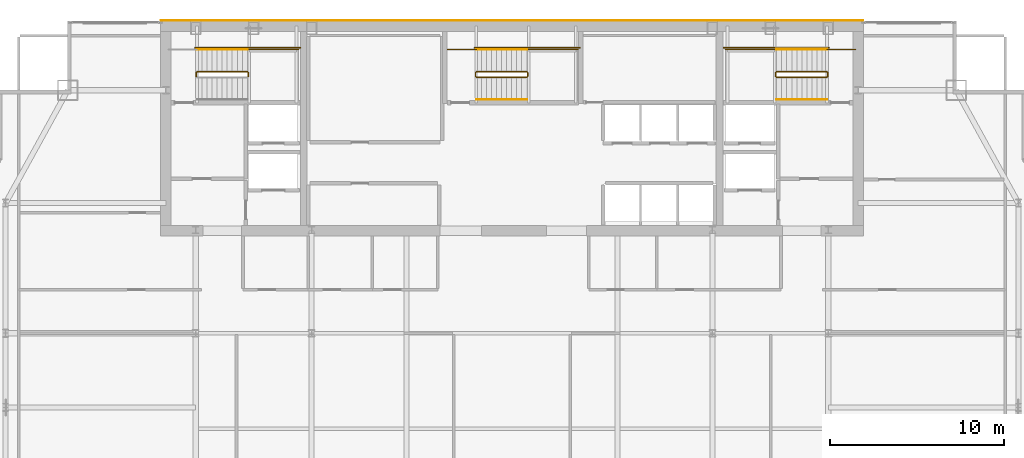
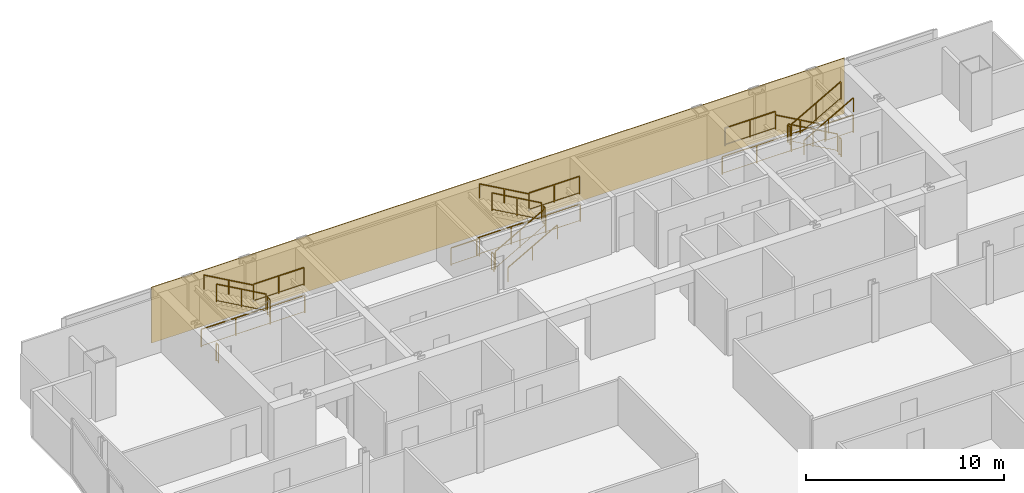
# One storey, part 32 of 32: 24 railings, 1 covering.
"""IFC4 building model written with IfcOpenShell, lengths in metres."""

from ifc_helpers import new_model, si_unit, direction, frame, origin, origin_2d, place, context, subcontext, project, spatial, polyline, rectangle, outline, extrude, material, layer, layer_set, type_object, element, save


model = new_model("IFC4")

# Units and contexts
model_context = context("Model", 3, precision=1e-05, world=origin(), true_north=direction((0.0, 1.0)))
body_context = subcontext(model_context, "Body", "Model", "MODEL_VIEW")
ifc_project = project(units=[si_unit("LENGTHUNIT", "METRE"), si_unit("AREAUNIT", "SQUARE_METRE"), si_unit("VOLUMEUNIT", "CUBIC_METRE"), si_unit("PLANEANGLEUNIT", "RADIAN"), si_unit("MASSUNIT", "GRAM", prefix="KILO")], contexts=[model_context])

# Site, building, storey
site_placement = place(None, origin())
site = spatial("IfcSite", under=ifc_project, at=site_placement, CompositionType="ELEMENT")
building_placement = place(site_placement, origin())
building = spatial("IfcBuilding", under=site, at=building_placement, Name="Khoronbel Lancet Exchange", CompositionType="ELEMENT")
storey_placement = place(building_placement, frame((0.0, 0.0, 228.199951171875)))
storey = spatial("IfcBuildingStorey", under=building, at=storey_placement, Name="L58", CompositionType="ELEMENT", Elevation=228.199951171875)

# Covering
ifc_material_1 = material(Name="Honed Egyptian Limestone & Bronze Rainscreen", Category="masonry")
ifc_layer = layer(ifc_material_1, 0.050048828125, Name="Honed Egyptian Limestone & Bronze Rainscreen")
ifc_layer_set = layer_set([ifc_layer], Name="Honed Egyptian Limestone & Bronze Rainscreen")
covering_type = type_object("IfcCoveringType", Name="COV-CLAD1", PredefinedType="CLADDING", material=ifc_layer_set)
covering_placement = place(storey_placement, origin())
element("IfcCovering", 1, at=covering_placement, inside=storey, type_object=covering_type, Name="Level L58 north rear-core stone and bronze rainscreen cladding", PredefinedType="CLADDING", context=body_context, shape_type="SweptSolid", body=[
    extrude(outline(polyline([(16.199951171875, 53.699951171875), (56.699951171875, 53.699951171875), (56.699951171875, 53.75), (16.199951171875, 53.75), (16.199951171875, 53.699951171875)])), origin(), (0.0, 0.0, 1.0), 3.43994140625),
])

# Railings
ifc_material_2 = material(Name="Painted Steel Balustrade", Category="steel")
railing_type_1 = type_object("IfcRailingType", Name="RL-STG110", PredefinedType="GUARDRAIL", material=ifc_material_2)
railing_1_placement = place(storey_placement, frame((21.25, 50.5, 1.800048828125)))
element("IfcRailing", 2, at=railing_1_placement, inside=storey, type_object=railing_type_1, Name="L58 ST1 stair guard 2", PredefinedType="GUARDRAIL", context=body_context, shape_type="SweptSolid", body=[
    extrude(rectangle(XDim=0.048095703125, YDim=0.048095703125, at=origin_2d()), frame((0.0, 0.0, 1.09619140625), z_axis=(0.0, 1.0, 0.0), x_axis=(-1.0, 0.0, 0.0)), (0.0, 0.0, 1.0), 0.219970703125),
    extrude(rectangle(XDim=0.02392578125, YDim=0.02392578125, at=origin_2d()), frame((0.0, 0.0, 0.080078125), z_axis=(0.0, 1.0, 0.0), x_axis=(-1.0, 0.0, 0.0)), (0.0, 0.0, 1.0), 0.219970703125),
    extrude(rectangle(XDim=0.0419921875, YDim=0.0419921875, at=origin_2d()), origin(), (0.0, 0.0, 1.0), 1.072021484375),
    extrude(rectangle(XDim=0.0419921875, YDim=0.0419921875, at=origin_2d()), frame((0.0, 0.219970703125, 0.0)), (0.0, 0.0, 1.0), 1.072021484375),
])
railing_2_placement = place(storey_placement, frame((21.199951171875, 52.050048828125, 1.800048828125)))
element("IfcRailing", 3, at=railing_2_placement, inside=storey, type_object=railing_type_1, Name="L58 ST1 stair guard 3", PredefinedType="GUARDRAIL", context=body_context, shape_type="SweptSolid", body=[
    extrude(rectangle(XDim=0.048095703125, YDim=0.048095703125, at=origin_2d()), frame((0.0, 0.0, 1.09619140625), z_axis=(1.0, 0.0, 0.0), x_axis=(0.0, 1.0, 0.0)), (0.0, 0.0, 1.0), 2.949951171875),
    extrude(rectangle(XDim=0.02392578125, YDim=0.02392578125, at=origin_2d()), frame((0.0, 0.0, 0.080078125), z_axis=(1.0, 0.0, 0.0), x_axis=(0.0, 1.0, 0.0)), (0.0, 0.0, 1.0), 2.949951171875),
    extrude(rectangle(XDim=0.0419921875, YDim=0.0419921875, at=origin_2d()), origin(), (0.0, 0.0, 1.0), 1.072021484375),
    extrude(rectangle(XDim=0.0419921875, YDim=0.0419921875, at=origin_2d()), frame((1.47509765625, 0.0, 0.0)), (0.0, 0.0, 1.0), 1.072021484375),
    extrude(rectangle(XDim=0.0419921875, YDim=0.0419921875, at=origin_2d()), frame((2.949951171875, 0.0, 0.0)), (0.0, 0.0, 1.0), 1.072021484375),
])
railing_3_placement = place(storey_placement, frame((21.199951171875, 50.77001953125, 1.963623046875)))
element("IfcRailing", 4, at=railing_3_placement, inside=storey, type_object=railing_type_1, Name="L58 ST1 stair guard 4", PredefinedType="GUARDRAIL", context=body_context, shape_type="SweptSolid", body=[
    extrude(rectangle(XDim=0.048095703125, YDim=0.048095703125, at=origin_2d()), frame((0.0, 0.0, 1.09619140625), z_axis=(-0.870897200241, 0.0, 0.491465224214), x_axis=(0.0, -1.0, 0.0)), (0.0, 0.0, 1.0), 3.329833984375),
    extrude(rectangle(XDim=0.02392578125, YDim=0.02392578125, at=origin_2d()), frame((0.0, 0.0, 0.080078125), z_axis=(-0.870897200241, 0.0, 0.491465224214), x_axis=(0.0, -1.0, 0.0)), (0.0, 0.0, 1.0), 3.329833984375),
    extrude(rectangle(XDim=0.0419921875, YDim=0.0419921875, at=origin_2d()), origin(), (0.0, 0.0, 1.0), 1.072021484375),
    extrude(rectangle(XDim=0.0419921875, YDim=0.0419921875, at=origin_2d()), frame((-1.449951171875, 0.0, 0.818359375)), (0.0, 0.0, 1.0), 1.072021484375),
    extrude(rectangle(XDim=0.0419921875, YDim=0.0419921875, at=origin_2d()), frame((-2.89990234375, 0.0, 1.636474609375)), (0.0, 0.0, 1.0), 1.072021484375),
])
railing_4_placement = place(storey_placement, frame((18.25, 50.5, 0.0)))
element("IfcRailing", 5, at=railing_4_placement, inside=storey, type_object=railing_type_1, Name="L58 ST1 stair guard 5", PredefinedType="GUARDRAIL", context=body_context, shape_type="SweptSolid", body=[
    extrude(rectangle(XDim=0.048095703125, YDim=0.048095703125, at=origin_2d()), frame((0.0, 0.0, 1.09619140625), z_axis=(0.0, 1.0, 0.0), x_axis=(-1.0, 0.0, 0.0)), (0.0, 0.0, 1.0), 0.219970703125),
    extrude(rectangle(XDim=0.02392578125, YDim=0.02392578125, at=origin_2d()), frame((0.0, 0.0, 0.080078125), z_axis=(0.0, 1.0, 0.0), x_axis=(-1.0, 0.0, 0.0)), (0.0, 0.0, 1.0), 0.219970703125),
    extrude(rectangle(XDim=0.0419921875, YDim=0.0419921875, at=origin_2d()), origin(), (0.0, 0.0, 1.0), 1.072021484375),
    extrude(rectangle(XDim=0.0419921875, YDim=0.0419921875, at=origin_2d()), frame((0.0, 0.219970703125, 0.0)), (0.0, 0.0, 1.0), 1.072021484375),
])
railing_5_placement = place(storey_placement, frame((18.199951171875, 52.14990234375, 0.0)))
element("IfcRailing", 6, at=railing_5_placement, inside=storey, type_object=railing_type_1, Name="L58 ST1 stair guard 7", PredefinedType="GUARDRAIL", context=body_context, shape_type="SweptSolid", body=[
    extrude(rectangle(XDim=0.048095703125, YDim=0.048095703125, at=origin_2d()), frame((0.0, 0.0, 1.09619140625), z_axis=(1.0, 0.0, 0.0), x_axis=(0.0, 1.0, 0.0)), (0.0, 0.0, 1.0), 6.050048828125),
    extrude(rectangle(XDim=0.02392578125, YDim=0.02392578125, at=origin_2d()), frame((0.0, 0.0, 0.080078125), z_axis=(1.0, 0.0, 0.0), x_axis=(0.0, 1.0, 0.0)), (0.0, 0.0, 1.0), 6.050048828125),
    extrude(rectangle(XDim=0.0419921875, YDim=0.0419921875, at=origin_2d()), origin(), (0.0, 0.0, 1.0), 1.072021484375),
    extrude(rectangle(XDim=0.0419921875, YDim=0.0419921875, at=origin_2d()), frame((2.0166015625, 0.0, 0.0)), (0.0, 0.0, 1.0), 1.072021484375),
    extrude(rectangle(XDim=0.0419921875, YDim=0.0419921875, at=origin_2d()), frame((4.033447265625, 0.0, 0.0)), (0.0, 0.0, 1.0), 1.072021484375),
    extrude(rectangle(XDim=0.0419921875, YDim=0.0419921875, at=origin_2d()), frame((6.050048828125, 0.0, 0.0)), (0.0, 0.0, 1.0), 1.072021484375),
])
railing_6_placement = place(storey_placement, frame((54.60009765625, 50.77001953125, 0.16357421875)))
element("IfcRailing", 7, at=railing_6_placement, inside=storey, type_object=railing_type_1, Name="L58 ST2 stair guard 1", PredefinedType="GUARDRAIL", context=body_context, shape_type="SweptSolid", body=[
    extrude(rectangle(XDim=0.048095703125, YDim=0.048095703125, at=origin_2d()), frame((0.0, 0.0, 1.09619140625), z_axis=(-0.870914908162, 0.0, 0.491433843708), x_axis=(0.0, -1.0, 0.0)), (0.0, 0.0, 1.0), 3.330078125),
    extrude(rectangle(XDim=0.02392578125, YDim=0.02392578125, at=origin_2d()), frame((0.0, 0.0, 0.080078125), z_axis=(-0.870914908162, 0.0, 0.491433843708), x_axis=(0.0, -1.0, 0.0)), (0.0, 0.0, 1.0), 3.330078125),
    extrude(rectangle(XDim=0.0419921875, YDim=0.0419921875, at=origin_2d()), origin(), (0.0, 0.0, 1.0), 1.072021484375),
    extrude(rectangle(XDim=0.0419921875, YDim=0.0419921875, at=origin_2d()), frame((-1.4501953125, 0.0, 0.818359375)), (0.0, 0.0, 1.0), 1.072021484375),
    extrude(rectangle(XDim=0.0419921875, YDim=0.0419921875, at=origin_2d()), frame((-2.900146484375, 0.0, 1.636474609375)), (0.0, 0.0, 1.0), 1.072021484375),
])
railing_7_placement = place(storey_placement, frame((51.64990234375, 50.719970703125, 1.800048828125)))
element("IfcRailing", 8, at=railing_7_placement, inside=storey, type_object=railing_type_1, Name="L58 ST2 stair guard 2", PredefinedType="GUARDRAIL", context=body_context, shape_type="SweptSolid", body=[
    extrude(rectangle(XDim=0.048095703125, YDim=0.048095703125, at=origin_2d()), frame((0.0, 0.0, 1.09619140625), z_axis=(0.0, -1.0, 0.0), x_axis=(1.0, 0.0, 0.0)), (0.0, 0.0, 1.0), 0.219970703125),
    extrude(rectangle(XDim=0.02392578125, YDim=0.02392578125, at=origin_2d()), frame((0.0, 0.0, 0.080078125), z_axis=(0.0, -1.0, 0.0), x_axis=(1.0, 0.0, 0.0)), (0.0, 0.0, 1.0), 0.219970703125),
    extrude(rectangle(XDim=0.0419921875, YDim=0.0419921875, at=origin_2d()), origin(), (0.0, 0.0, 1.0), 1.072021484375),
    extrude(rectangle(XDim=0.0419921875, YDim=0.0419921875, at=origin_2d()), frame((0.0, -0.219970703125, 0.0)), (0.0, 0.0, 1.0), 1.072021484375),
])
railing_8_placement = place(storey_placement, frame((51.699951171875, 52.050048828125, 1.800048828125)))
element("IfcRailing", 9, at=railing_8_placement, inside=storey, type_object=railing_type_1, Name="L58 ST2 stair guard 3", PredefinedType="GUARDRAIL", context=body_context, shape_type="SweptSolid", body=[
    extrude(rectangle(XDim=0.048095703125, YDim=0.048095703125, at=origin_2d()), frame((0.0, 0.0, 1.09619140625), z_axis=(-1.0, 0.0, 0.0), x_axis=(0.0, -1.0, 0.0)), (0.0, 0.0, 1.0), 2.949951171875),
    extrude(rectangle(XDim=0.02392578125, YDim=0.02392578125, at=origin_2d()), frame((0.0, 0.0, 0.080078125), z_axis=(-1.0, 0.0, 0.0), x_axis=(0.0, -1.0, 0.0)), (0.0, 0.0, 1.0), 2.949951171875),
    extrude(rectangle(XDim=0.0419921875, YDim=0.0419921875, at=origin_2d()), origin(), (0.0, 0.0, 1.0), 1.072021484375),
    extrude(rectangle(XDim=0.0419921875, YDim=0.0419921875, at=origin_2d()), frame((-1.47509765625, 0.0, 0.0)), (0.0, 0.0, 1.0), 1.072021484375),
    extrude(rectangle(XDim=0.0419921875, YDim=0.0419921875, at=origin_2d()), frame((-2.949951171875, 0.0, 0.0)), (0.0, 0.0, 1.0), 1.072021484375),
])
railing_9_placement = place(storey_placement, frame((51.699951171875, 50.449951171875, 1.963623046875)))
element("IfcRailing", 10, at=railing_9_placement, inside=storey, type_object=railing_type_1, Name="L58 ST2 stair guard 4", PredefinedType="GUARDRAIL", context=body_context, shape_type="SweptSolid", body=[
    extrude(rectangle(XDim=0.048095703125, YDim=0.048095703125, at=origin_2d()), frame((0.0, 0.0, 1.09619140625), z_axis=(0.870914908162, 0.0, 0.491433843708), x_axis=(0.0, 1.0, 0.0)), (0.0, 0.0, 1.0), 3.330078125),
    extrude(rectangle(XDim=0.02392578125, YDim=0.02392578125, at=origin_2d()), frame((0.0, 0.0, 0.080078125), z_axis=(0.870914908162, 0.0, 0.491433843708), x_axis=(0.0, 1.0, 0.0)), (0.0, 0.0, 1.0), 3.330078125),
    extrude(rectangle(XDim=0.0419921875, YDim=0.0419921875, at=origin_2d()), origin(), (0.0, 0.0, 1.0), 1.072021484375),
    extrude(rectangle(XDim=0.0419921875, YDim=0.0419921875, at=origin_2d()), frame((1.4501953125, 0.0, 0.818359375)), (0.0, 0.0, 1.0), 1.072021484375),
    extrude(rectangle(XDim=0.0419921875, YDim=0.0419921875, at=origin_2d()), frame((2.900146484375, 0.0, 1.636474609375)), (0.0, 0.0, 1.0), 1.072021484375),
])
railing_10_placement = place(storey_placement, frame((54.64990234375, 50.719970703125, 0.0)))
element("IfcRailing", 11, at=railing_10_placement, inside=storey, type_object=railing_type_1, Name="L58 ST2 stair guard 5", PredefinedType="GUARDRAIL", context=body_context, shape_type="SweptSolid", body=[
    extrude(rectangle(XDim=0.048095703125, YDim=0.048095703125, at=origin_2d()), frame((0.0, 0.0, 1.09619140625), z_axis=(0.0, -1.0, 0.0), x_axis=(1.0, 0.0, 0.0)), (0.0, 0.0, 1.0), 0.219970703125),
    extrude(rectangle(XDim=0.02392578125, YDim=0.02392578125, at=origin_2d()), frame((0.0, 0.0, 0.080078125), z_axis=(0.0, -1.0, 0.0), x_axis=(1.0, 0.0, 0.0)), (0.0, 0.0, 1.0), 0.219970703125),
    extrude(rectangle(XDim=0.0419921875, YDim=0.0419921875, at=origin_2d()), origin(), (0.0, 0.0, 1.0), 1.072021484375),
    extrude(rectangle(XDim=0.0419921875, YDim=0.0419921875, at=origin_2d()), frame((0.0, -0.219970703125, 0.0)), (0.0, 0.0, 1.0), 1.072021484375),
])
railing_11_placement = place(storey_placement, frame((56.25, 52.050048828125, 0.0)))
element("IfcRailing", 12, at=railing_11_placement, inside=storey, type_object=railing_type_1, Name="L58 ST2 stair guard 6", PredefinedType="GUARDRAIL", context=body_context, shape_type="SweptSolid", body=[
    extrude(rectangle(XDim=0.048095703125, YDim=0.048095703125, at=origin_2d()), frame((0.0, 0.0, 1.09619140625), z_axis=(-1.0, 0.0, 0.0), x_axis=(0.0, -1.0, 0.0)), (0.0, 0.0, 1.0), 1.64990234375),
    extrude(rectangle(XDim=0.02392578125, YDim=0.02392578125, at=origin_2d()), frame((0.0, 0.0, 0.080078125), z_axis=(-1.0, 0.0, 0.0), x_axis=(0.0, -1.0, 0.0)), (0.0, 0.0, 1.0), 1.64990234375),
    extrude(rectangle(XDim=0.0419921875, YDim=0.0419921875, at=origin_2d()), origin(), (0.0, 0.0, 1.0), 1.072021484375),
    extrude(rectangle(XDim=0.0419921875, YDim=0.0419921875, at=origin_2d()), frame((-1.64990234375, 0.0, 0.0)), (0.0, 0.0, 1.0), 1.072021484375),
])
railing_12_placement = place(storey_placement, frame((54.699951171875, 52.14990234375, 0.0)))
element("IfcRailing", 13, at=railing_12_placement, inside=storey, type_object=railing_type_1, Name="L58 ST2 stair guard 7", PredefinedType="GUARDRAIL", context=body_context, shape_type="SweptSolid", body=[
    extrude(rectangle(XDim=0.048095703125, YDim=0.048095703125, at=origin_2d()), frame((0.0, 0.0, 1.09619140625), z_axis=(-1.0, 0.0, 0.0), x_axis=(0.0, -1.0, 0.0)), (0.0, 0.0, 1.0), 6.050048828125),
    extrude(rectangle(XDim=0.02392578125, YDim=0.02392578125, at=origin_2d()), frame((0.0, 0.0, 0.080078125), z_axis=(-1.0, 0.0, 0.0), x_axis=(0.0, -1.0, 0.0)), (0.0, 0.0, 1.0), 6.050048828125),
    extrude(rectangle(XDim=0.0419921875, YDim=0.0419921875, at=origin_2d()), origin(), (0.0, 0.0, 1.0), 1.072021484375),
    extrude(rectangle(XDim=0.0419921875, YDim=0.0419921875, at=origin_2d()), frame((-2.0166015625, 0.0, 0.0)), (0.0, 0.0, 1.0), 1.072021484375),
    extrude(rectangle(XDim=0.0419921875, YDim=0.0419921875, at=origin_2d()), frame((-4.033447265625, 0.0, 0.0)), (0.0, 0.0, 1.0), 1.072021484375),
    extrude(rectangle(XDim=0.0419921875, YDim=0.0419921875, at=origin_2d()), frame((-6.050048828125, 0.0, 0.0)), (0.0, 0.0, 1.0), 1.072021484375),
])
railing_13_placement = place(storey_placement, frame((34.39990234375, 50.449951171875, 0.16357421875)))
element("IfcRailing", 14, at=railing_13_placement, inside=storey, type_object=railing_type_1, Name="L58 ST3 stair guard 1", PredefinedType="GUARDRAIL", context=body_context, shape_type="SweptSolid", body=[
    extrude(rectangle(XDim=0.048095703125, YDim=0.048095703125, at=origin_2d()), frame((0.0, 0.0, 1.09619140625), z_axis=(0.870914908162, 0.0, 0.491433843708), x_axis=(0.0, 1.0, 0.0)), (0.0, 0.0, 1.0), 3.330078125),
    extrude(rectangle(XDim=0.02392578125, YDim=0.02392578125, at=origin_2d()), frame((0.0, 0.0, 0.080078125), z_axis=(0.870914908162, 0.0, 0.491433843708), x_axis=(0.0, 1.0, 0.0)), (0.0, 0.0, 1.0), 3.330078125),
    extrude(rectangle(XDim=0.0419921875, YDim=0.0419921875, at=origin_2d()), origin(), (0.0, 0.0, 1.0), 1.072021484375),
    extrude(rectangle(XDim=0.0419921875, YDim=0.0419921875, at=origin_2d()), frame((1.4501953125, 0.0, 0.818359375)), (0.0, 0.0, 1.0), 1.072021484375),
    extrude(rectangle(XDim=0.0419921875, YDim=0.0419921875, at=origin_2d()), frame((2.900146484375, 0.0, 1.636474609375)), (0.0, 0.0, 1.0), 1.072021484375),
])
railing_14_placement = place(storey_placement, frame((37.35009765625, 50.5, 1.800048828125)))
element("IfcRailing", 15, at=railing_14_placement, inside=storey, type_object=railing_type_1, Name="L58 ST3 stair guard 2", PredefinedType="GUARDRAIL", context=body_context, shape_type="SweptSolid", body=[
    extrude(rectangle(XDim=0.048095703125, YDim=0.048095703125, at=origin_2d()), frame((0.0, 0.0, 1.09619140625), z_axis=(0.0, 1.0, 0.0), x_axis=(-1.0, 0.0, 0.0)), (0.0, 0.0, 1.0), 0.219970703125),
    extrude(rectangle(XDim=0.02392578125, YDim=0.02392578125, at=origin_2d()), frame((0.0, 0.0, 0.080078125), z_axis=(0.0, 1.0, 0.0), x_axis=(-1.0, 0.0, 0.0)), (0.0, 0.0, 1.0), 0.219970703125),
    extrude(rectangle(XDim=0.0419921875, YDim=0.0419921875, at=origin_2d()), origin(), (0.0, 0.0, 1.0), 1.072021484375),
    extrude(rectangle(XDim=0.0419921875, YDim=0.0419921875, at=origin_2d()), frame((0.0, 0.219970703125, 0.0)), (0.0, 0.0, 1.0), 1.072021484375),
])
railing_15_placement = place(storey_placement, frame((37.300048828125, 52.050048828125, 1.800048828125)))
element("IfcRailing", 16, at=railing_15_placement, inside=storey, type_object=railing_type_1, Name="L58 ST3 stair guard 3", PredefinedType="GUARDRAIL", context=body_context, shape_type="SweptSolid", body=[
    extrude(rectangle(XDim=0.048095703125, YDim=0.048095703125, at=origin_2d()), frame((0.0, 0.0, 1.09619140625), z_axis=(1.0, 0.0, 0.0), x_axis=(0.0, 1.0, 0.0)), (0.0, 0.0, 1.0), 2.949951171875),
    extrude(rectangle(XDim=0.02392578125, YDim=0.02392578125, at=origin_2d()), frame((0.0, 0.0, 0.080078125), z_axis=(1.0, 0.0, 0.0), x_axis=(0.0, 1.0, 0.0)), (0.0, 0.0, 1.0), 2.949951171875),
    extrude(rectangle(XDim=0.0419921875, YDim=0.0419921875, at=origin_2d()), origin(), (0.0, 0.0, 1.0), 1.072021484375),
    extrude(rectangle(XDim=0.0419921875, YDim=0.0419921875, at=origin_2d()), frame((1.47509765625, 0.0, 0.0)), (0.0, 0.0, 1.0), 1.072021484375),
    extrude(rectangle(XDim=0.0419921875, YDim=0.0419921875, at=origin_2d()), frame((2.949951171875, 0.0, 0.0)), (0.0, 0.0, 1.0), 1.072021484375),
])
railing_16_placement = place(storey_placement, frame((37.300048828125, 50.77001953125, 1.963623046875)))
element("IfcRailing", 17, at=railing_16_placement, inside=storey, type_object=railing_type_1, Name="L58 ST3 stair guard 4", PredefinedType="GUARDRAIL", context=body_context, shape_type="SweptSolid", body=[
    extrude(rectangle(XDim=0.048095703125, YDim=0.048095703125, at=origin_2d()), frame((0.0, 0.0, 1.09619140625), z_axis=(-0.870914908162, 0.0, 0.491433843708), x_axis=(0.0, -1.0, 0.0)), (0.0, 0.0, 1.0), 3.330078125),
    extrude(rectangle(XDim=0.02392578125, YDim=0.02392578125, at=origin_2d()), frame((0.0, 0.0, 0.080078125), z_axis=(-0.870914908162, 0.0, 0.491433843708), x_axis=(0.0, -1.0, 0.0)), (0.0, 0.0, 1.0), 3.330078125),
    extrude(rectangle(XDim=0.0419921875, YDim=0.0419921875, at=origin_2d()), origin(), (0.0, 0.0, 1.0), 1.072021484375),
    extrude(rectangle(XDim=0.0419921875, YDim=0.0419921875, at=origin_2d()), frame((-1.4501953125, 0.0, 0.818359375)), (0.0, 0.0, 1.0), 1.072021484375),
    extrude(rectangle(XDim=0.0419921875, YDim=0.0419921875, at=origin_2d()), frame((-2.900146484375, 0.0, 1.636474609375)), (0.0, 0.0, 1.0), 1.072021484375),
])
railing_17_placement = place(storey_placement, frame((34.35009765625, 50.5, 0.0)))
element("IfcRailing", 18, at=railing_17_placement, inside=storey, type_object=railing_type_1, Name="L58 ST3 stair guard 5", PredefinedType="GUARDRAIL", context=body_context, shape_type="SweptSolid", body=[
    extrude(rectangle(XDim=0.048095703125, YDim=0.048095703125, at=origin_2d()), frame((0.0, 0.0, 1.09619140625), z_axis=(0.0, 1.0, 0.0), x_axis=(-1.0, 0.0, 0.0)), (0.0, 0.0, 1.0), 0.219970703125),
    extrude(rectangle(XDim=0.02392578125, YDim=0.02392578125, at=origin_2d()), frame((0.0, 0.0, 0.080078125), z_axis=(0.0, 1.0, 0.0), x_axis=(-1.0, 0.0, 0.0)), (0.0, 0.0, 1.0), 0.219970703125),
    extrude(rectangle(XDim=0.0419921875, YDim=0.0419921875, at=origin_2d()), origin(), (0.0, 0.0, 1.0), 1.072021484375),
    extrude(rectangle(XDim=0.0419921875, YDim=0.0419921875, at=origin_2d()), frame((0.0, 0.219970703125, 0.0)), (0.0, 0.0, 1.0), 1.072021484375),
])
railing_18_placement = place(storey_placement, frame((32.75, 52.050048828125, 0.0)))
element("IfcRailing", 19, at=railing_18_placement, inside=storey, type_object=railing_type_1, Name="L58 ST3 stair guard 6", PredefinedType="GUARDRAIL", context=body_context, shape_type="SweptSolid", body=[
    extrude(rectangle(XDim=0.048095703125, YDim=0.048095703125, at=origin_2d()), frame((0.0, 0.0, 1.09619140625), z_axis=(1.0, 0.0, 0.0), x_axis=(0.0, 1.0, 0.0)), (0.0, 0.0, 1.0), 1.64990234375),
    extrude(rectangle(XDim=0.02392578125, YDim=0.02392578125, at=origin_2d()), frame((0.0, 0.0, 0.080078125), z_axis=(1.0, 0.0, 0.0), x_axis=(0.0, 1.0, 0.0)), (0.0, 0.0, 1.0), 1.64990234375),
    extrude(rectangle(XDim=0.0419921875, YDim=0.0419921875, at=origin_2d()), origin(), (0.0, 0.0, 1.0), 1.072021484375),
    extrude(rectangle(XDim=0.0419921875, YDim=0.0419921875, at=origin_2d()), frame((1.64990234375, 0.0, 0.0)), (0.0, 0.0, 1.0), 1.072021484375),
])
railing_19_placement = place(storey_placement, frame((34.300048828125, 52.14990234375, 0.0)))
element("IfcRailing", 20, at=railing_19_placement, inside=storey, type_object=railing_type_1, Name="L58 ST3 stair guard 7", PredefinedType="GUARDRAIL", context=body_context, shape_type="SweptSolid", body=[
    extrude(rectangle(XDim=0.048095703125, YDim=0.048095703125, at=origin_2d()), frame((0.0, 0.0, 1.09619140625), z_axis=(1.0, 0.0, 0.0), x_axis=(0.0, 1.0, 0.0)), (0.0, 0.0, 1.0), 6.050048828125),
    extrude(rectangle(XDim=0.02392578125, YDim=0.02392578125, at=origin_2d()), frame((0.0, 0.0, 0.080078125), z_axis=(1.0, 0.0, 0.0), x_axis=(0.0, 1.0, 0.0)), (0.0, 0.0, 1.0), 6.050048828125),
    extrude(rectangle(XDim=0.0419921875, YDim=0.0419921875, at=origin_2d()), origin(), (0.0, 0.0, 1.0), 1.072021484375),
    extrude(rectangle(XDim=0.0419921875, YDim=0.0419921875, at=origin_2d()), frame((2.0166015625, 0.0, 0.0)), (0.0, 0.0, 1.0), 1.072021484375),
    extrude(rectangle(XDim=0.0419921875, YDim=0.0419921875, at=origin_2d()), frame((4.033447265625, 0.0, 0.0)), (0.0, 0.0, 1.0), 1.072021484375),
    extrude(rectangle(XDim=0.0419921875, YDim=0.0419921875, at=origin_2d()), frame((6.050048828125, 0.0, 0.0)), (0.0, 0.0, 1.0), 1.072021484375),
])
ifc_material_3 = material(Name="Brushed Stainless Steel 316", Category="steel")
railing_type_2 = type_object("IfcRailingType", Name="RL-STH92", PredefinedType="HANDRAIL", material=ifc_material_3)
railing_20_placement = place(storey_placement, frame((21.199951171875, 52.050048828125, 1.963623046875)))
element("IfcRailing", 21, at=railing_20_placement, inside=storey, type_object=railing_type_2, Name="L58 ST1 stair handrail 2", PredefinedType="HANDRAIL", context=body_context, shape_type="SweptSolid", body=[
    extrude(rectangle(XDim=0.048095703125, YDim=0.048095703125, at=origin_2d()), frame((0.0, 0.0, 0.8759765625), z_axis=(-0.870897200241, 0.0, 0.491465224214), x_axis=(0.0, -1.0, 0.0)), (0.0, 0.0, 1.0), 3.329833984375),
    extrude(rectangle(XDim=0.0419921875, YDim=0.0419921875, at=origin_2d()), origin(), (0.0, 0.0, 1.0), 0.851806640625),
    extrude(rectangle(XDim=0.0419921875, YDim=0.0419921875, at=origin_2d()), frame((-1.449951171875, 0.0, 0.818359375)), (0.0, 0.0, 1.0), 0.851806640625),
    extrude(rectangle(XDim=0.0419921875, YDim=0.0419921875, at=origin_2d()), frame((-2.89990234375, 0.0, 1.636474609375)), (0.0, 0.0, 1.0), 0.851806640625),
])
railing_21_placement = place(storey_placement, frame((54.60009765625, 52.050048828125, 0.16357421875)))
element("IfcRailing", 22, at=railing_21_placement, inside=storey, type_object=railing_type_2, Name="L58 ST2 stair handrail 1", PredefinedType="HANDRAIL", context=body_context, shape_type="SweptSolid", body=[
    extrude(rectangle(XDim=0.048095703125, YDim=0.048095703125, at=origin_2d()), frame((0.0, 0.0, 0.8759765625), z_axis=(-0.870914908162, 0.0, 0.491433843708), x_axis=(0.0, -1.0, 0.0)), (0.0, 0.0, 1.0), 3.330078125),
    extrude(rectangle(XDim=0.0419921875, YDim=0.0419921875, at=origin_2d()), origin(), (0.0, 0.0, 1.0), 0.851806640625),
    extrude(rectangle(XDim=0.0419921875, YDim=0.0419921875, at=origin_2d()), frame((-1.4501953125, 0.0, 0.818359375)), (0.0, 0.0, 1.0), 0.851806640625),
    extrude(rectangle(XDim=0.0419921875, YDim=0.0419921875, at=origin_2d()), frame((-2.900146484375, 0.0, 1.636474609375)), (0.0, 0.0, 1.0), 0.851806640625),
])
for number, where, name in (
    (23, (51.699951171875, 49.169921875, 1.963623046875), "L58 ST2 stair handrail 2"),
    (24, (34.39990234375, 49.169921875, 0.16357421875), "L58 ST3 stair handrail 1"),
):
    element("IfcRailing", number, at=place(storey_placement, frame(where)), inside=storey, type_object=railing_type_2, Name=name, PredefinedType="HANDRAIL", context=body_context, shape_type="SweptSolid", body=[
        extrude(rectangle(XDim=0.048095703125, YDim=0.048095703125, at=origin_2d()), frame((0.0, 0.0, 0.8759765625), z_axis=(0.870914908162, 0.0, 0.491433843708), x_axis=(0.0, 1.0, 0.0)), (0.0, 0.0, 1.0), 3.330078125),
        extrude(rectangle(XDim=0.0419921875, YDim=0.0419921875, at=origin_2d()), origin(), (0.0, 0.0, 1.0), 0.851806640625),
        extrude(rectangle(XDim=0.0419921875, YDim=0.0419921875, at=origin_2d()), frame((1.4501953125, 0.0, 0.818359375)), (0.0, 0.0, 1.0), 0.851806640625),
        extrude(rectangle(XDim=0.0419921875, YDim=0.0419921875, at=origin_2d()), frame((2.900146484375, 0.0, 1.636474609375)), (0.0, 0.0, 1.0), 0.851806640625),
    ])
railing_22_placement = place(storey_placement, frame((37.300048828125, 52.050048828125, 1.963623046875)))
element("IfcRailing", 25, at=railing_22_placement, inside=storey, type_object=railing_type_2, Name="L58 ST3 stair handrail 2", PredefinedType="HANDRAIL", context=body_context, shape_type="SweptSolid", body=[
    extrude(rectangle(XDim=0.048095703125, YDim=0.048095703125, at=origin_2d()), frame((0.0, 0.0, 0.8759765625), z_axis=(-0.870914908162, 0.0, 0.491433843708), x_axis=(0.0, -1.0, 0.0)), (0.0, 0.0, 1.0), 3.330078125),
    extrude(rectangle(XDim=0.0419921875, YDim=0.0419921875, at=origin_2d()), origin(), (0.0, 0.0, 1.0), 0.851806640625),
    extrude(rectangle(XDim=0.0419921875, YDim=0.0419921875, at=origin_2d()), frame((-1.4501953125, 0.0, 0.818359375)), (0.0, 0.0, 1.0), 0.851806640625),
    extrude(rectangle(XDim=0.0419921875, YDim=0.0419921875, at=origin_2d()), frame((-2.900146484375, 0.0, 1.636474609375)), (0.0, 0.0, 1.0), 0.851806640625),
])

save(model, "model.ifc")
